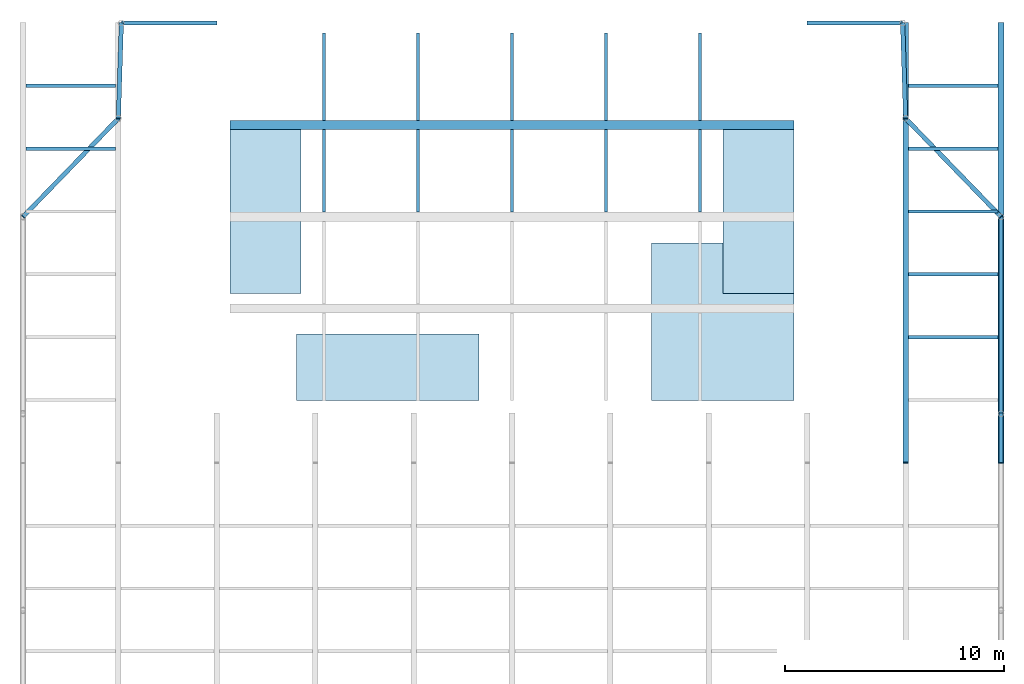
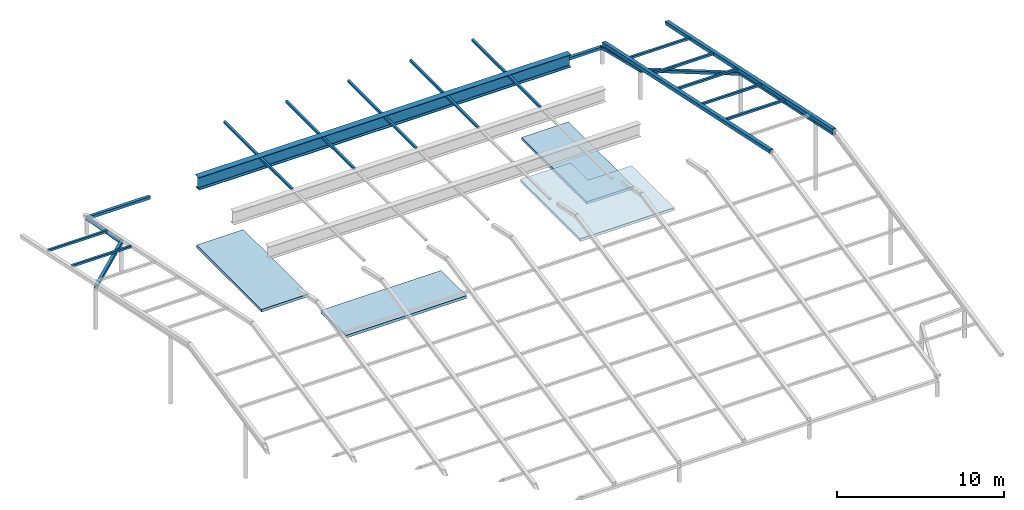
# One storey, part 7 of 7: 19 beams, 9 members, 4 slabs.
"""IFC4 building model written with IfcOpenShell, lengths in metres."""

from ifc_helpers import new_model, si_unit, direction, frame, origin, origin_2d, place, context, subcontext, project, spatial, polyline, hollow_rectangle, i_section, outline, extrude, material, layer, layer_set, material_profile, profile_set, type_object, element, save


model = new_model("IFC4")

# Units and contexts
model_context = context("Model", 3, precision=1e-05, world=origin(), true_north=direction((0.0, 1.0)))
body_context = subcontext(model_context, "Body", "Model", "MODEL_VIEW")
ifc_project = project(units=[si_unit("LENGTHUNIT", "METRE"), si_unit("AREAUNIT", "SQUARE_METRE"), si_unit("VOLUMEUNIT", "CUBIC_METRE"), si_unit("PLANEANGLEUNIT", "RADIAN"), si_unit("MASSUNIT", "GRAM", prefix="KILO")], contexts=[model_context])

# Site, building, storey
site_placement = place(None, origin())
site = spatial("IfcSite", under=ifc_project, at=site_placement, CompositionType="ELEMENT")
building_placement = place(site_placement, origin())
building = spatial("IfcBuilding", under=site, at=building_placement, Name="Orbiselva Terraces", CompositionType="ELEMENT")
storey_placement = place(building_placement, frame((0.0, 0.0, 306.6)))
storey = spatial("IfcBuildingStorey", under=building, at=storey_placement, Name="ROOF STAIR AND LIFT HEAD HOUSES", CompositionType="ELEMENT", Elevation=306.6)

# Beams
ifc_material_1 = material(Name="Steel ASTM A500 Grade C", Category="steel")
ifc_material_profile_1 = material_profile(ifc_material_1, hollow_rectangle(XDim=0.2032, YDim=0.2032, WallThickness=0.00953, at=origin_2d()), Name="HSS203.2X203.2X9.5")
ifc_profile_set_1 = profile_set([ifc_material_profile_1], Name="Steel ASTM A500 Grade C")
beam_type_1 = type_object("IfcBeamType", Name="CANOPY EDGE BEAM HSS203.2X203.2X9.5", PredefinedType="BEAM", material=ifc_profile_set_1)
beam_1_placement = place(storey_placement, frame((22.36345, 2.25, 5.4444), z_axis=(0.0, 0.978147624053, -0.20791158111), x_axis=(-1.0, 0.0, 0.0)))
element("IfcBeam", 1, at=beam_1_placement, inside=storey, type_object=beam_type_1, Name="Canopy edge beam 12", PredefinedType="BEAM", context=body_context, shape_type="SweptSolid", body=[
    extrude(hollow_rectangle(XDim=0.2032, YDim=0.2032, WallThickness=0.00953, at=origin_2d()), origin(), (0.0, 0.0, 1.0), 2.300266),
])
beam_2_placement = place(storey_placement, frame((22.36345, 4.5, 4.966148), z_axis=(0.0, 0.97814760195, -0.207911685095), x_axis=(-1.0, 0.0, 0.0)))
element("IfcBeam", 2, at=beam_2_placement, inside=storey, type_object=beam_type_1, Name="Canopy edge beam 13", PredefinedType="BEAM", context=body_context, shape_type="SweptSolid", body=[
    extrude(hollow_rectangle(XDim=0.2032, YDim=0.2032, WallThickness=0.00953, at=origin_2d()), origin(), (0.0, 0.0, 1.0), 9.201065),
])
beam_3_placement = place(storey_placement, frame((22.36345, 13.5, 3.053139), z_axis=(-0.688164307019, 0.709699751707, -0.150851413557), x_axis=(-0.717915252174, -0.696130512689, 0.0)))
element("IfcBeam", 3, at=beam_3_placement, inside=storey, type_object=beam_type_1, Name="Canopy edge beam 14", PredefinedType="BEAM", context=body_context, shape_type="SweptSolid", body=[
    extrude(hollow_rectangle(XDim=0.2032, YDim=0.2032, WallThickness=0.00953, at=origin_2d()), origin(), (0.0, 0.0, 1.0), 6.34071),
])
for number, where, z_axis, x_axis, name in (
    (4, (18.0, 18.0, 2.096634), (-0.030595864224, 0.977689664943, -0.207814369465), (-0.999510700734, -0.031278732697, 0.0), "Canopy edge beam 15"),
    (5, (-17.86345, 22.36345, 1.169154), (-0.030595864224, -0.977689664943, 0.207814369465), (0.999510700734, -0.031278732697, 0.0), "Canopy edge beam 16"),
):
    element("IfcBeam", number, at=place(storey_placement, frame(where, z_axis=z_axis, x_axis=x_axis)), inside=storey, type_object=beam_type_1, Name=name, PredefinedType="BEAM", context=body_context, shape_type="SweptSolid", body=[
        extrude(hollow_rectangle(XDim=0.2032, YDim=0.2032, WallThickness=0.00953, at=origin_2d()), origin(), (0.0, 0.0, 1.0), 4.463022),
    ])
beam_4_placement = place(storey_placement, frame((-18.0, 18.0, 2.096634), z_axis=(-0.688164307019, -0.709699751707, 0.150851413557), x_axis=(0.717915252174, -0.696130512689, 0.0)))
element("IfcBeam", 6, at=beam_4_placement, inside=storey, type_object=beam_type_1, Name="Canopy edge beam 17", PredefinedType="BEAM", context=body_context, shape_type="SweptSolid", body=[
    extrude(hollow_rectangle(XDim=0.2032, YDim=0.2032, WallThickness=0.00953, at=origin_2d()), origin(), (0.0, 0.0, 1.0), 6.34071),
])
for number, where, z_axis, x_axis, name in (
    (7, (17.86345, 22.36345, 1.169154), (-1.0, 0.0, 0.0), (0.0, -1.0, 0.0), "Canopy edge beam 21"),
    (8, (-17.86345, 22.36345, 1.169154), (1.0, 0.0, 0.0), (0.0, 1.0, 0.0), "Canopy edge beam 22"),
):
    element("IfcBeam", number, at=place(storey_placement, frame(where, z_axis=z_axis, x_axis=x_axis)), inside=storey, type_object=beam_type_1, Name=name, PredefinedType="BEAM", context=body_context, shape_type="SweptSolid", body=[
        extrude(hollow_rectangle(XDim=0.2032, YDim=0.2032, WallThickness=0.00953, at=origin_2d()), origin(), (0.0, 0.0, 1.0), 4.36345),
    ])

# Members
ifc_material_profile_2 = material_profile(ifc_material_1, hollow_rectangle(XDim=0.1524, YDim=0.1524, WallThickness=0.00635, at=origin_2d()), Name="HSS152.4X152.4X6.4")
ifc_profile_set_2 = profile_set([ifc_material_profile_2], Name="Steel ASTM A500 Grade C")
member_type_1 = type_object("IfcMemberType", Name="CANOPY PURLIN HSS152.4X152.4X6.4", PredefinedType="PURLIN", material=ifc_profile_set_2)
for number, where, z_axis, x_axis, name in (
    (9, (18.127, 7.9967, 4.486104), (1.0, 0.0, 0.0), (0.0, 1.0, 0.0), "Canopy purlin north row 02 bay 10"),
    (10, (18.127, 10.87005, 3.875355), (1.0, 0.0, 0.0), (0.0, 1.0, 0.0), "Canopy purlin north row 03 bay 10"),
    (11, (18.127, 13.7434, 3.264605), (1.0, 0.0, 0.0), (0.0, 1.0, 0.0), "Canopy purlin north row 04 bay 10"),
    (12, (-22.23645, 16.61675, 2.653856), (1.0, 0.0, 0.0), (0.0, 1.0, 0.0), "Canopy purlin north row 05 bay 01"),
    (13, (18.127, 16.61675, 2.653856), (1.0, 0.0, 0.0), (0.0, 1.0, 0.0), "Canopy purlin north row 05 bay 10"),
    (14, (-22.23645, 19.4901, 2.043107), (1.0, 0.0, 0.0), (0.0, 1.0, 0.0), "Canopy purlin north row 06 bay 01"),
    (15, (18.127, 19.4901, 2.043107), (1.0, 0.0, 0.0), (0.0, 1.0, 0.0), "Canopy purlin north row 06 bay 10"),
):
    element("IfcMember", number, at=place(storey_placement, frame(where, z_axis=z_axis, x_axis=x_axis)), inside=storey, type_object=member_type_1, Name=name, PredefinedType="PURLIN", context=body_context, shape_type="SweptSolid", body=[
        extrude(hollow_rectangle(XDim=0.1524, YDim=0.1524, WallThickness=0.00635, at=origin_2d()), origin(), (0.0, 0.0, 1.0), 4.10945),
    ])
ifc_material_profile_3 = material_profile(ifc_material_1, hollow_rectangle(XDim=0.254, YDim=0.254, WallThickness=0.0127, at=origin_2d()), Name="HSS254X254X12.7")
ifc_profile_set_3 = profile_set([ifc_material_profile_3], Name="Steel ASTM A500 Grade C")
member_type_2 = type_object("IfcMemberType", Name="CANOPY RAFTER HSS254X254X12.7", PredefinedType="RAFTER", material=ifc_profile_set_3)
for number, where, z_axis, x_axis, name in (
    (16, (18.0, 2.25, 5.673), (0.0, 0.978147598512, -0.207911701272), (-1.0, 0.0, 0.0), "Canopy rafter north 10"),
    (17, (22.36345, 2.25, 5.673), (0.0, 0.978147598512, -0.207911701272), (-1.0, 0.0, 0.0), "Canopy rafter north 11"),
):
    element("IfcMember", number, at=place(storey_placement, frame(where, z_axis=z_axis, x_axis=x_axis)), inside=storey, type_object=member_type_2, Name=name, PredefinedType="RAFTER", context=body_context, shape_type="SweptSolid", body=[
        extrude(hollow_rectangle(XDim=0.254, YDim=0.254, WallThickness=0.0127, at=origin_2d()), origin(), (0.0, 0.0, 1.0), 20.562796),
    ])

# Beams
ifc_material_profile_4 = material_profile(ifc_material_1, hollow_rectangle(XDim=0.1524, YDim=0.1524, WallThickness=0.00635, at=origin_2d()), Name="HSS152.4X152.4X6.4")
ifc_profile_set_4 = profile_set([ifc_material_profile_4], Name="Steel ASTM A500 Grade C")
beam_type_2 = type_object("IfcBeamType", Name="GLAZING BAR HSS152.4X152.4X6.4", PredefinedType="BEAM", material=ifc_profile_set_4)
beam_5_placement = place(storey_placement, frame((-8.6, 13.7095, 5.2455), z_axis=(0.0, 1.0, 0.0), x_axis=(-1.0, 0.0, 0.0)))
element("IfcBeam", 18, at=beam_5_placement, inside=storey, type_object=beam_type_2, Name="Glazing bar 3", PredefinedType="BEAM", context=body_context, shape_type="SweptSolid", body=[
    extrude(hollow_rectangle(XDim=0.1524, YDim=0.1524, WallThickness=0.00635, at=origin_2d()), origin(), (0.0, 0.0, 1.0), 3.781),
])
beam_6_placement = place(storey_placement, frame((-8.6, 17.9095, 5.2455), z_axis=(0.0, 1.0, 0.0), x_axis=(-1.0, 0.0, 0.0)))
element("IfcBeam", 19, at=beam_6_placement, inside=storey, type_object=beam_type_2, Name="Glazing bar 4", PredefinedType="BEAM", context=body_context, shape_type="SweptSolid", body=[
    extrude(hollow_rectangle(XDim=0.1524, YDim=0.1524, WallThickness=0.00635, at=origin_2d()), origin(), (0.0, 0.0, 1.0), 3.9905),
])
beam_7_placement = place(storey_placement, frame((-4.3, 13.7095, 5.2455), z_axis=(0.0, 1.0, 0.0), x_axis=(-1.0, 0.0, 0.0)))
element("IfcBeam", 20, at=beam_7_placement, inside=storey, type_object=beam_type_2, Name="Glazing bar 7", PredefinedType="BEAM", context=body_context, shape_type="SweptSolid", body=[
    extrude(hollow_rectangle(XDim=0.1524, YDim=0.1524, WallThickness=0.00635, at=origin_2d()), origin(), (0.0, 0.0, 1.0), 3.781),
])
beam_8_placement = place(storey_placement, frame((-4.3, 17.9095, 5.2455), z_axis=(0.0, 1.0, 0.0), x_axis=(-1.0, 0.0, 0.0)))
element("IfcBeam", 21, at=beam_8_placement, inside=storey, type_object=beam_type_2, Name="Glazing bar 8", PredefinedType="BEAM", context=body_context, shape_type="SweptSolid", body=[
    extrude(hollow_rectangle(XDim=0.1524, YDim=0.1524, WallThickness=0.00635, at=origin_2d()), origin(), (0.0, 0.0, 1.0), 3.9905),
])
beam_9_placement = place(storey_placement, frame((0.0, 13.7095, 5.2455), z_axis=(0.0, 1.0, 0.0), x_axis=(-1.0, 0.0, 0.0)))
element("IfcBeam", 22, at=beam_9_placement, inside=storey, type_object=beam_type_2, Name="Glazing bar 11", PredefinedType="BEAM", context=body_context, shape_type="SweptSolid", body=[
    extrude(hollow_rectangle(XDim=0.1524, YDim=0.1524, WallThickness=0.00635, at=origin_2d()), origin(), (0.0, 0.0, 1.0), 3.781),
])
beam_10_placement = place(storey_placement, frame((0.0, 17.9095, 5.2455), z_axis=(0.0, 1.0, 0.0), x_axis=(-1.0, 0.0, 0.0)))
element("IfcBeam", 23, at=beam_10_placement, inside=storey, type_object=beam_type_2, Name="Glazing bar 12", PredefinedType="BEAM", context=body_context, shape_type="SweptSolid", body=[
    extrude(hollow_rectangle(XDim=0.1524, YDim=0.1524, WallThickness=0.00635, at=origin_2d()), origin(), (0.0, 0.0, 1.0), 3.9905),
])
beam_11_placement = place(storey_placement, frame((4.3, 13.7095, 5.2455), z_axis=(0.0, 1.0, 0.0), x_axis=(-1.0, 0.0, 0.0)))
element("IfcBeam", 24, at=beam_11_placement, inside=storey, type_object=beam_type_2, Name="Glazing bar 15", PredefinedType="BEAM", context=body_context, shape_type="SweptSolid", body=[
    extrude(hollow_rectangle(XDim=0.1524, YDim=0.1524, WallThickness=0.00635, at=origin_2d()), origin(), (0.0, 0.0, 1.0), 3.781),
])
beam_12_placement = place(storey_placement, frame((4.3, 17.9095, 5.2455), z_axis=(0.0, 1.0, 0.0), x_axis=(-1.0, 0.0, 0.0)))
element("IfcBeam", 25, at=beam_12_placement, inside=storey, type_object=beam_type_2, Name="Glazing bar 16", PredefinedType="BEAM", context=body_context, shape_type="SweptSolid", body=[
    extrude(hollow_rectangle(XDim=0.1524, YDim=0.1524, WallThickness=0.00635, at=origin_2d()), origin(), (0.0, 0.0, 1.0), 3.9905),
])
beam_13_placement = place(storey_placement, frame((8.6, 13.7095, 5.2455), z_axis=(0.0, 1.0, 0.0), x_axis=(-1.0, 0.0, 0.0)))
element("IfcBeam", 26, at=beam_13_placement, inside=storey, type_object=beam_type_2, Name="Glazing bar 19", PredefinedType="BEAM", context=body_context, shape_type="SweptSolid", body=[
    extrude(hollow_rectangle(XDim=0.1524, YDim=0.1524, WallThickness=0.00635, at=origin_2d()), origin(), (0.0, 0.0, 1.0), 3.781),
])
beam_14_placement = place(storey_placement, frame((8.6, 17.9095, 5.2455), z_axis=(0.0, 1.0, 0.0), x_axis=(-1.0, 0.0, 0.0)))
element("IfcBeam", 27, at=beam_14_placement, inside=storey, type_object=beam_type_2, Name="Glazing bar 20", PredefinedType="BEAM", context=body_context, shape_type="SweptSolid", body=[
    extrude(hollow_rectangle(XDim=0.1524, YDim=0.1524, WallThickness=0.00635, at=origin_2d()), origin(), (0.0, 0.0, 1.0), 3.9905),
])
ifc_material_2 = material(Name="Steel ASTM A992 Grade 50", Category="steel")
ifc_material_profile_5 = material_profile(ifc_material_2, i_section(OverallWidth=0.419, OverallDepth=0.932, WebThickness=0.0203, FlangeThickness=0.0343, FilletRadius=0.0241, at=origin_2d()), Name="W920X368")
ifc_profile_set_5 = profile_set([ifc_material_profile_5], Name="Steel ASTM A992 Grade 50")
beam_type_3 = type_object("IfcBeamType", Name="GLAZING GIRDER W920X368", PredefinedType="BEAM", material=ifc_profile_set_5)
beam_15_placement = place(storey_placement, frame((-12.9, 17.7, 4.8557), z_axis=(1.0, 0.0, 0.0), x_axis=(0.0, 1.0, 0.0)))
element("IfcBeam", 28, at=beam_15_placement, inside=storey, type_object=beam_type_3, Name="Glazing girder 3", PredefinedType="BEAM", context=body_context, shape_type="SweptSolid", body=[
    extrude(i_section(OverallWidth=0.419, OverallDepth=0.932, WebThickness=0.0203, FlangeThickness=0.0343, FilletRadius=0.0241, at=origin_2d()), origin(), (0.0, 0.0, 1.0), 25.8),
])

# Slabs
ifc_material_3 = material(Name="Concrete C40/50", Category="concrete")
ifc_layer = layer(ifc_material_3, 0.2)
ifc_layer_set = layer_set([ifc_layer], Name="Concrete C40/50")
slab_type = type_object("IfcSlabType", Name="CORE-HEAD-HOUSE-ROOF", PredefinedType="ROOF", material=ifc_layer_set)
slab_1_placement = place(storey_placement, origin())
element("IfcSlab", 29, at=slab_1_placement, inside=storey, type_object=slab_type, Name="S1 head-house roof", PredefinedType="ROOF", context=body_context, shape_type="SweptSolid", body=[
    extrude(outline(polyline([(-9.65, 17.8), (-9.65, 10.0), (-12.9, 10.0), (-12.9, 17.8), (-9.65, 17.8)])), origin(), (0.0, 0.0, 1.0), 0.2),
])
slab_2_placement = place(storey_placement, origin())
element("IfcSlab", 30, at=slab_2_placement, inside=storey, type_object=slab_type, Name="S2 head-house roof", PredefinedType="ROOF", context=body_context, shape_type="SweptSolid", body=[
    extrude(outline(polyline([(9.65, 10.0), (9.65, 17.8), (12.9, 17.8), (12.9, 10.0), (9.65, 10.0)])), origin(), (0.0, 0.0, 1.0), 0.2),
])
slab_3_placement = place(storey_placement, origin())
element("IfcSlab", 31, at=slab_3_placement, inside=storey, type_object=slab_type, Name="S3 head-house roof", PredefinedType="ROOF", context=body_context, shape_type="SweptSolid", body=[
    extrude(outline(polyline([(-9.85, 8.15), (-1.5, 8.15), (-1.5, 5.1), (-9.85, 5.1), (-9.85, 8.15)])), origin(), (0.0, 0.0, 1.0), 0.2),
])
slab_4_placement = place(storey_placement, frame((0.0, 0.0, 1.4)))
element("IfcSlab", 32, at=slab_4_placement, inside=storey, type_object=slab_type, Name="Fire-fighting lift head-house roof", PredefinedType="ROOF", context=body_context, shape_type="SweptSolid", body=[
    extrude(outline(polyline([(9.85, 12.3), (9.85, 10.2), (12.9, 10.2), (12.9, 5.1), (6.375, 5.1), (6.375, 12.3), (9.85, 12.3)])), origin(), (0.0, 0.0, 1.0), 0.2),
])

save(model, "model.ifc")
